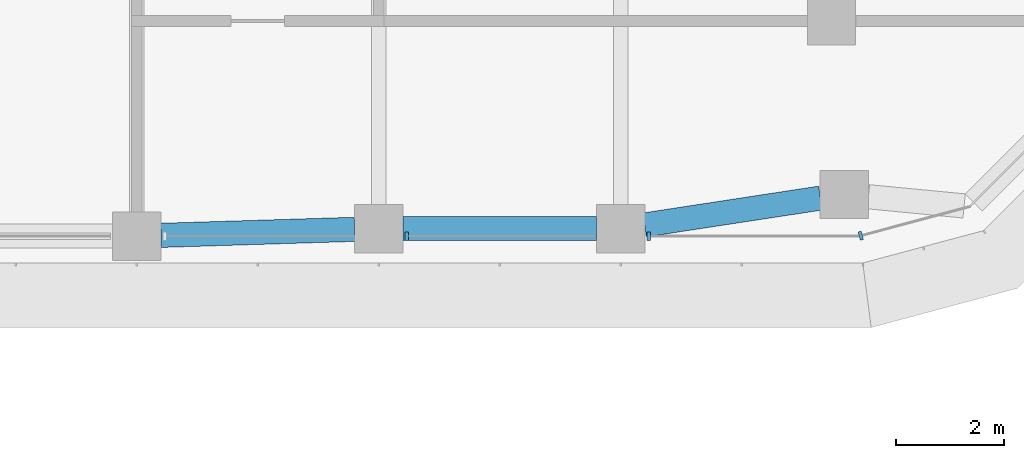
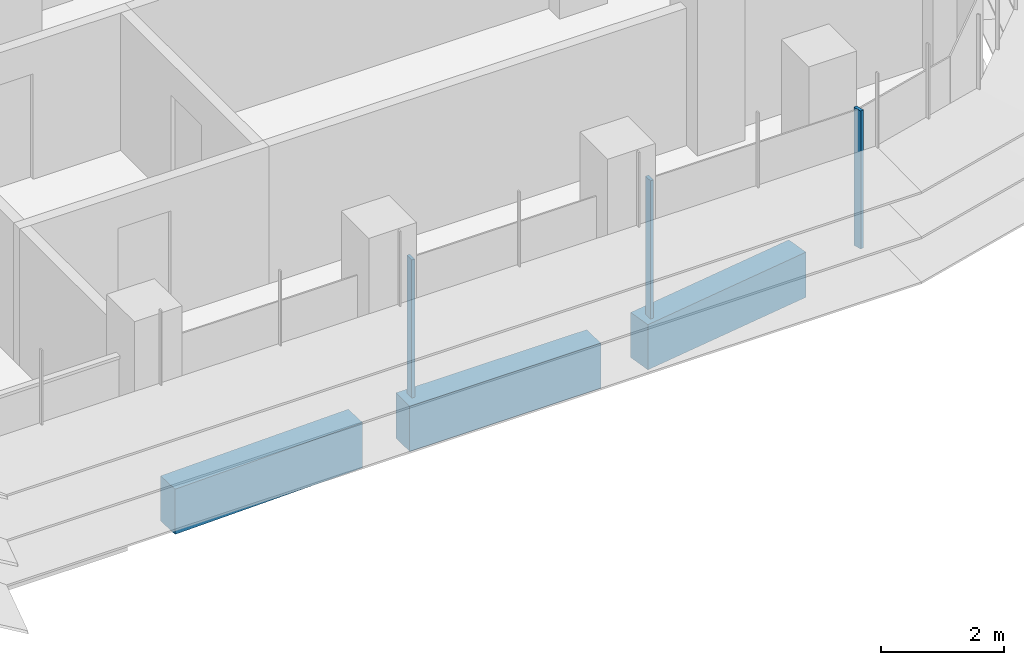
# One storey, part 5 of 22: 3 beams, 3 members, 2 elements without a shape of their own.
"""IFC4 building model written with IfcOpenShell, lengths in metres."""

from ifc_helpers import new_model, si_unit, direction, frame, origin, origin_2d, place, context, subcontext, project, spatial, polyline, rectangle, outline, extrude, source, transform, mapped, material, material_profile, profile_set, type_object, element, aggregate, save


model = new_model("IFC4")

# Units and contexts
model_context = context("Model", 3, precision=1e-05, world=origin(), true_north=direction((0.0, 1.0)))
body_context = subcontext(model_context, "Body", "Model", "MODEL_VIEW")
ifc_project = project(units=[si_unit("LENGTHUNIT", "METRE"), si_unit("AREAUNIT", "SQUARE_METRE"), si_unit("VOLUMEUNIT", "CUBIC_METRE"), si_unit("PLANEANGLEUNIT", "RADIAN"), si_unit("MASSUNIT", "GRAM", prefix="KILO")], contexts=[model_context])

# Site, building, storey
site_placement = place(None, origin())
site = spatial("IfcSite", under=ifc_project, at=site_placement, CompositionType="ELEMENT")
building_placement = place(site_placement, origin())
building = spatial("IfcBuilding", under=site, at=building_placement, Name="Zarbagh Exchange Tower", CompositionType="ELEMENT")
storey_placement = place(building_placement, frame((0.0, 0.0, 109.39990234375)))
storey = spatial("IfcBuildingStorey", under=building, at=storey_placement, Name="L25", CompositionType="ELEMENT", Elevation=109.39990234375)

# Beams
ifc_material_1 = material(Name="Concrete C60/75", Category="concrete")
ifc_material_profile = material_profile(ifc_material_1, rectangle(XDim=0.449951171875, YDim=0.89990234375, at=origin_2d()), Name="RC spandrel beam 450 x 900 C60/75")
ifc_profile_set = profile_set([ifc_material_profile], Name="Concrete C60/75")
beam_type = type_object("IfcBeamType", Name="RC spandrel beam 450 x 900 C60/75", PredefinedType="SPANDREL", material=ifc_profile_set)
beam_1_placement = place(storey_placement, frame((28.463134765625, -5.54296875, -0.599853515625), z_axis=(-0.988543505948, -0.150936201252, 0.0), x_axis=(0.150936201252, -0.988543505948, 0.0)))
element("IfcBeam", 1, at=beam_1_placement, inside=storey, type_object=beam_type, Name="RC spandrel beam", PredefinedType="SPANDREL", context=body_context, shape_type="SweptSolid", body=[
    extrude(rectangle(XDim=0.449951171875, YDim=0.89990234375, at=origin_2d()), origin(), (0.0, 0.0, 1.0), 3.30615234375),
])
beam_2_placement = place(storey_placement, frame((24.300048828125, -6.110107421875, -0.599853515625), z_axis=(-1.0, 0.0, 0.0), x_axis=(0.0, -1.0, 0.0)))
element("IfcBeam", 2, at=beam_2_placement, inside=storey, type_object=beam_type, Name="RC spandrel beam", PredefinedType="SPANDREL", context=body_context, shape_type="SweptSolid", body=[
    extrude(rectangle(XDim=0.449951171875, YDim=0.89990234375, at=origin_2d()), origin(), (0.0, 0.0, 1.0), 3.60009765625),
])
beam_3_placement = place(storey_placement, frame((19.80029296875, -6.1240234375, -0.599853515625), z_axis=(-0.999516035224, -0.031107801747, 0.0), x_axis=(0.031107801747, -0.999516035224, 0.0)))
element("IfcBeam", 3, at=beam_3_placement, inside=storey, type_object=beam_type, Name="RC spandrel beam", PredefinedType="SPANDREL", context=body_context, shape_type="SweptSolid", body=[
    extrude(rectangle(XDim=0.449951171875, YDim=0.89990234375, at=origin_2d()), origin(), (0.0, 0.0, 1.0), 3.602294921875),
])

# Curtain wall, members
ifc_material_2 = material(Name="Anodised aluminium frame and glazing", Category="aluminium")
curtain_wall_type = type_object("IfcCurtainWallType", Name="CWA Ribbon glazing, lower zones", PredefinedType="NOTDEFINED", material=ifc_material_2)
curtain_wall_1_placement = place(storey_placement, origin())
curtain_wall_1 = element("IfcCurtainWall", 4, at=curtain_wall_1_placement, inside=storey, type_object=curtain_wall_type, Name="CWA08 curtain wall", PredefinedType="NOTDEFINED")
ifc_material_3 = material(Name="Anodised aluminium frame", Category="aluminium")
member_type = type_object("IfcMemberType", Name="MUA Mullion, anodised aluminium frame", PredefinedType="MULLION", material=ifc_material_3)
shared_shape = source(origin(), body_context, "Body", "SweptSolid", [
    extrude(outline(polyline([(0.0, -0.080078125), (0.06005859375, -0.080078125), (0.06005859375, 0.080078125), (0.0, 0.080078125), (0.0, -0.080078125)])), origin(), (0.0, 0.0, 1.0), 2.75),
])
placement = place(storey_placement, origin())
member_1 = element("IfcMember", 5, at=placement, type_object=member_type, Name="CWA08 mullion 3.1", PredefinedType="MULLION", context=body_context, shape_type="MappedRepresentation", body=[
    mapped(shared_shape, transform((20.739990234375, -6.25, 0.0), x_axis=(1.0, 0.0, 0.0), y_axis=(0.0, 1.0, 0.0), z_axis=(0.0, 0.0, 1.0))),
])
member_2 = element("IfcMember", 6, at=placement, type_object=member_type, Name="CWA08 mullion 4.1", PredefinedType="MULLION", context=body_context, shape_type="MappedRepresentation", body=[
    mapped(shared_shape, transform((25.239990234375, -6.25, 0.0), x_axis=(1.0, 0.0, 0.0), y_axis=(0.0, 1.0, 0.0), z_axis=(0.0, 0.0, 1.0))),
])
aggregate(curtain_wall_1, [member_1, member_2])

# Curtain wall, member
curtain_wall_2_placement = place(storey_placement, origin())
curtain_wall_2 = element("IfcCurtainWall", 7, at=curtain_wall_2_placement, inside=storey, type_object=curtain_wall_type, Name="CWA09 curtain wall", PredefinedType="NOTDEFINED")
member_3 = element("IfcMember", 8, at=placement, type_object=member_type, Name="CWA09 mullion 1.1", PredefinedType="MULLION", context=body_context, shape_type="MappedRepresentation", body=[
    mapped(shared_shape, transform((29.18408203125, -6.25, 0.0), x_axis=(0.965924289636, 0.258824779902, 0.0), y_axis=(-0.258824779902, 0.965924289636, 0.0), z_axis=(0.0, 0.0, 1.0))),
])
aggregate(curtain_wall_2, [member_3])

save(model, "model.ifc")
